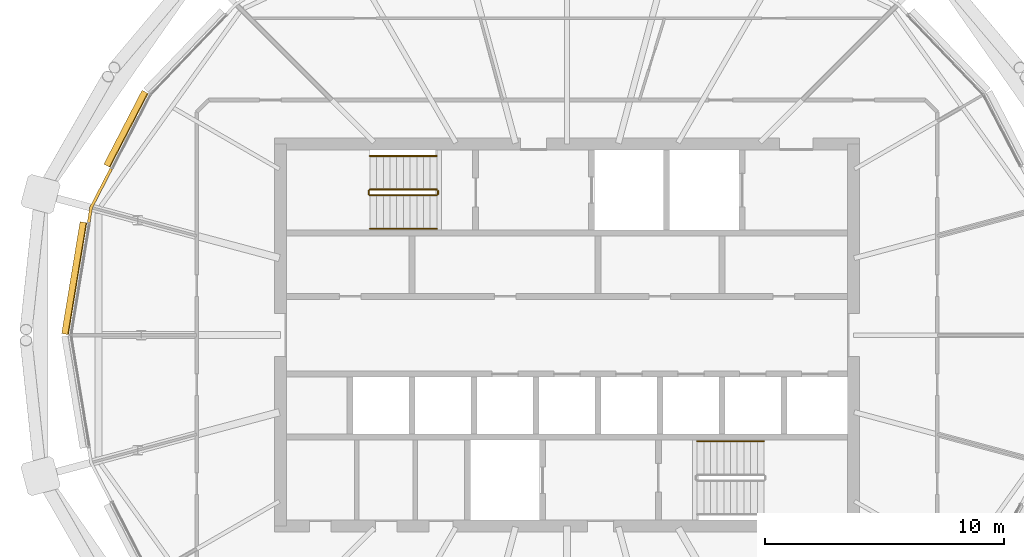
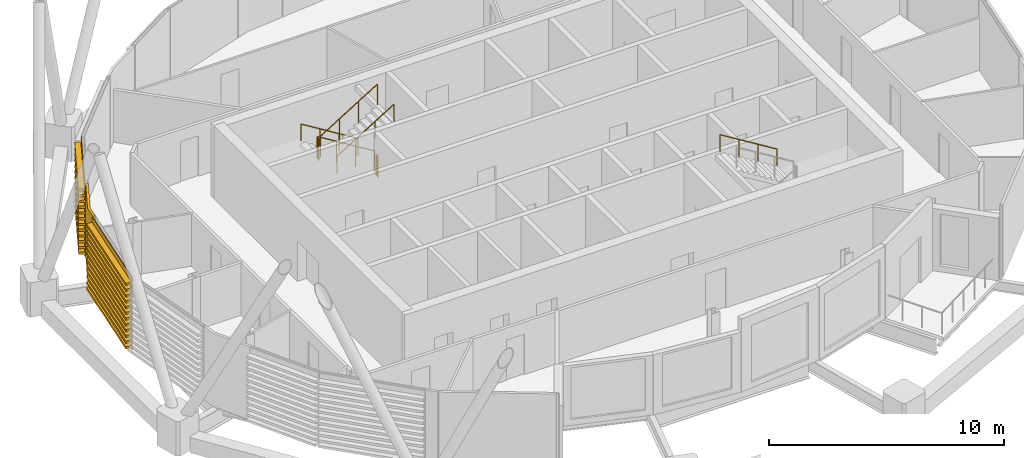
# One storey, part 29 of 34: 7 railings, 3 coverings.
"""IFC4 building model written with IfcOpenShell, lengths in metres."""

from ifc_helpers import new_model, si_unit, direction, frame, origin, origin_2d, place, context, subcontext, project, spatial, polyline, circle, outline, extrude, material, layer, layer_set, material_profile, profile_set, type_object, element, save


model = new_model("IFC4")

# Units and contexts
model_context = context("Model", 3, precision=1e-05, world=origin(), true_north=direction((0.0, 1.0)))
body_context = subcontext(model_context, "Body", "Model", "MODEL_VIEW")
ifc_project = project(units=[si_unit("LENGTHUNIT", "METRE"), si_unit("AREAUNIT", "SQUARE_METRE"), si_unit("VOLUMEUNIT", "CUBIC_METRE"), si_unit("PLANEANGLEUNIT", "RADIAN"), si_unit("MASSUNIT", "GRAM", prefix="KILO")], contexts=[model_context])

# Site, building, storey
site_placement = place(None, origin())
site = spatial("IfcSite", under=ifc_project, at=site_placement, CompositionType="ELEMENT")
building_placement = place(site_placement, origin())
building = spatial("IfcBuilding", under=site, at=building_placement, Name="Rimbun Link Towers", CompositionType="ELEMENT")
storey_placement = place(building_placement, frame((0.0, 0.0, 221.89990234375)))
storey = spatial("IfcBuildingStorey", under=building, at=storey_placement, Name="L54", CompositionType="ELEMENT", Elevation=221.89990234375)

# Covering
ifc_material_1 = material(Name="Terracotta", Category="masonry")
ifc_layer = layer(ifc_material_1, 0.1201171875)
ifc_layer_set = layer_set([ifc_layer], Name="LINK PIER terracotta cladding 120")
covering_type_1 = type_object("IfcCoveringType", Name="LINK PIER terracotta cladding 120", PredefinedType="CLADDING", material=ifc_layer_set)
covering_1_placement = place(storey_placement, origin())
element("IfcCovering", 1, at=covering_1_placement, inside=storey, type_object=covering_type_1, Name="LINK PIER cladding", PredefinedType="CLADDING", context=body_context, shape_type="SweptSolid", body=[
    extrude(outline(polyline([(-51.718017578125, 4.711669921875), (-51.6171875, 5.323486328125), (-50.781005859375, 6.93994140625), (-50.887451171875, 6.994873046875), (-51.732666015625, 5.361572265625), (-51.83642578125, 4.731201171875), (-51.718017578125, 4.711669921875)])), origin(), (0.0, 0.0, 1.0), 3.800048828125),
])

# Railings
ifc_material_2 = material(Name="Stainless steel grade 316", Category="steel")
railing_type_1 = type_object("IfcRailingType", Name="Stair guard", PredefinedType="GUARDRAIL", material=ifc_material_2)
railing_1_placement = place(storey_placement, frame((-37.199951171875, 6.10009765625, 0.1728515625)))
element("IfcRailing", 2, at=railing_1_placement, inside=storey, type_object=railing_type_1, Name="L54 ST1 stair guard 1", PredefinedType="GUARDRAIL", context=body_context, shape_type="SweptSolid", body=[
    extrude(circle(Radius=0.02392578125, at=origin_2d()), frame((0.0, 0.0, 1.076171875), z_axis=(-0.851089632645, 0.0, 0.525020415988), x_axis=(0.0, -1.0, 0.0)), (0.0, 0.0, 1.0), 3.2900390625),
    extrude(circle(Radius=0.02099609375, at=origin_2d()), origin(), (0.0, 0.0, 1.0), 1.052001953125),
    extrude(circle(Radius=0.02099609375, at=origin_2d()), frame((-0.933349609375, 0.0, 0.57568359375)), (0.0, 0.0, 1.0), 1.052001953125),
    extrude(circle(Radius=0.02099609375, at=origin_2d()), frame((-1.86669921875, 0.0, 1.151611328125)), (0.0, 0.0, 1.0), 1.052001953125),
    extrude(circle(Radius=0.02099609375, at=origin_2d()), frame((-2.800048828125, 0.0, 1.727294921875)), (0.0, 0.0, 1.0), 1.052001953125),
])
railing_2_placement = place(storey_placement, frame((-40.050048828125, 6.050048828125, 1.900146484375)))
element("IfcRailing", 3, at=railing_2_placement, inside=storey, type_object=railing_type_1, Name="L54 ST1 stair guard 2", PredefinedType="GUARDRAIL", context=body_context, shape_type="SweptSolid", body=[
    extrude(circle(Radius=0.02392578125, at=origin_2d()), frame((0.0, 0.0, 1.076171875), z_axis=(0.0, -1.0, 0.0), x_axis=(1.0, 0.0, 0.0)), (0.0, 0.0, 1.0), 0.150146484375),
    extrude(circle(Radius=0.02099609375, at=origin_2d()), origin(), (0.0, 0.0, 1.0), 1.052001953125),
    extrude(circle(Radius=0.02099609375, at=origin_2d()), frame((0.0, -0.150146484375, 0.0)), (0.0, 0.0, 1.0), 1.052001953125),
])
railing_3_placement = place(storey_placement, frame((-40.0, 5.85009765625, 2.07275390625)))
element("IfcRailing", 4, at=railing_3_placement, inside=storey, type_object=railing_type_1, Name="L54 ST1 stair guard 3", PredefinedType="GUARDRAIL", context=body_context, shape_type="SweptSolid", body=[
    extrude(circle(Radius=0.02392578125, at=origin_2d()), frame((0.0, 0.0, 1.076171875), z_axis=(0.851089632645, 0.0, 0.525020415988), x_axis=(0.0, 1.0, 0.0)), (0.0, 0.0, 1.0), 3.2900390625),
    extrude(circle(Radius=0.02099609375, at=origin_2d()), origin(), (0.0, 0.0, 1.0), 1.052001953125),
    extrude(circle(Radius=0.02099609375, at=origin_2d()), frame((0.933349609375, 0.0, 0.57568359375)), (0.0, 0.0, 1.0), 1.052001953125),
    extrude(circle(Radius=0.02099609375, at=origin_2d()), frame((1.86669921875, 0.0, 1.151611328125)), (0.0, 0.0, 1.0), 1.052001953125),
    extrude(circle(Radius=0.02099609375, at=origin_2d()), frame((2.800048828125, 0.0, 1.727294921875)), (0.0, 0.0, 1.0), 1.052001953125),
])
railing_4_placement = place(storey_placement, frame((-37.14990234375, 6.050048828125, 0.0)))
element("IfcRailing", 5, at=railing_4_placement, inside=storey, type_object=railing_type_1, Name="L54 ST1 stair guard 4", PredefinedType="GUARDRAIL", context=body_context, shape_type="SweptSolid", body=[
    extrude(circle(Radius=0.02392578125, at=origin_2d()), frame((0.0, 0.0, 1.076171875), z_axis=(0.0, -1.0, 0.0), x_axis=(1.0, 0.0, 0.0)), (0.0, 0.0, 1.0), 0.150146484375),
    extrude(circle(Radius=0.02099609375, at=origin_2d()), origin(), (0.0, 0.0, 1.0), 1.052001953125),
    extrude(circle(Radius=0.02099609375, at=origin_2d()), frame((0.0, -0.150146484375, 0.0)), (0.0, 0.0, 1.0), 1.052001953125),
])
ifc_material_3 = material(Name="Stainless steel grade 316", Category="steel")
railing_type_2 = type_object("IfcRailingType", Name="Stair handrail", PredefinedType="HANDRAIL", material=ifc_material_3)
railing_5_placement = place(storey_placement, frame((-37.199951171875, 7.5, 0.1728515625)))
element("IfcRailing", 6, at=railing_5_placement, inside=storey, type_object=railing_type_2, Name="L54 ST1 stair handrail 1", PredefinedType="HANDRAIL", context=body_context, shape_type="SweptSolid", body=[
    extrude(circle(Radius=0.02392578125, at=origin_2d()), frame((0.0, 0.0, 0.8759765625), z_axis=(-0.851089632645, 0.0, 0.525020415988), x_axis=(0.0, -1.0, 0.0)), (0.0, 0.0, 1.0), 3.2900390625),
    extrude(circle(Radius=0.02099609375, at=origin_2d()), origin(), (0.0, 0.0, 1.0), 0.851806640625),
    extrude(circle(Radius=0.02099609375, at=origin_2d()), frame((-0.933349609375, 0.0, 0.57568359375)), (0.0, 0.0, 1.0), 0.851806640625),
    extrude(circle(Radius=0.02099609375, at=origin_2d()), frame((-1.86669921875, 0.0, 1.151611328125)), (0.0, 0.0, 1.0), 0.851806640625),
    extrude(circle(Radius=0.02099609375, at=origin_2d()), frame((-2.800048828125, 0.0, 1.727294921875)), (0.0, 0.0, 1.0), 0.851806640625),
])
railing_6_placement = place(storey_placement, frame((-40.0, 4.449951171875, 2.07275390625)))
element("IfcRailing", 7, at=railing_6_placement, inside=storey, type_object=railing_type_2, Name="L54 ST1 stair handrail 2", PredefinedType="HANDRAIL", context=body_context, shape_type="SweptSolid", body=[
    extrude(circle(Radius=0.02392578125, at=origin_2d()), frame((0.0, 0.0, 0.8759765625), z_axis=(0.851089632645, 0.0, 0.525020415988), x_axis=(0.0, 1.0, 0.0)), (0.0, 0.0, 1.0), 3.2900390625),
    extrude(circle(Radius=0.02099609375, at=origin_2d()), origin(), (0.0, 0.0, 1.0), 0.851806640625),
    extrude(circle(Radius=0.02099609375, at=origin_2d()), frame((0.933349609375, 0.0, 0.57568359375)), (0.0, 0.0, 1.0), 0.851806640625),
    extrude(circle(Radius=0.02099609375, at=origin_2d()), frame((1.86669921875, 0.0, 1.151611328125)), (0.0, 0.0, 1.0), 0.851806640625),
    extrude(circle(Radius=0.02099609375, at=origin_2d()), frame((2.800048828125, 0.0, 1.727294921875)), (0.0, 0.0, 1.0), 0.851806640625),
])
railing_7_placement = place(storey_placement, frame((-23.5, -4.449951171875, 2.07275390625)))
element("IfcRailing", 8, at=railing_7_placement, inside=storey, type_object=railing_type_2, Name="L54 ST2 stair handrail 2", PredefinedType="HANDRAIL", context=body_context, shape_type="SweptSolid", body=[
    extrude(circle(Radius=0.02392578125, at=origin_2d()), frame((0.0, 0.0, 0.8759765625), z_axis=(-0.851089632645, 0.0, 0.525020415988), x_axis=(0.0, -1.0, 0.0)), (0.0, 0.0, 1.0), 3.2900390625),
    extrude(circle(Radius=0.02099609375, at=origin_2d()), origin(), (0.0, 0.0, 1.0), 0.851806640625),
    extrude(circle(Radius=0.02099609375, at=origin_2d()), frame((-0.933349609375, 0.0, 0.57568359375)), (0.0, 0.0, 1.0), 0.851806640625),
    extrude(circle(Radius=0.02099609375, at=origin_2d()), frame((-1.86669921875, 0.0, 1.151611328125)), (0.0, 0.0, 1.0), 0.851806640625),
    extrude(circle(Radius=0.02099609375, at=origin_2d()), frame((-2.800048828125, 0.0, 1.727294921875)), (0.0, 0.0, 1.0), 0.851806640625),
])

# Coverings
ifc_material_4 = material(Name="Terracotta", Category="masonry")
ifc_material_profile = material_profile(ifc_material_4, outline(polyline([(0.123046875, 0.0), (0.1630859375, 0.0), (0.1630859375, 0.10009765625), (0.423095703125, 0.10009765625), (0.423095703125, 0.219970703125), (0.1630859375, 0.219970703125), (0.1630859375, 0.39990234375), (0.423095703125, 0.39990234375), (0.423095703125, 0.52001953125), (0.1630859375, 0.52001953125), (0.1630859375, 0.699951171875), (0.423095703125, 0.699951171875), (0.423095703125, 0.820068359375), (0.1630859375, 0.820068359375), (0.1630859375, 1.0), (0.423095703125, 1.0), (0.423095703125, 1.1201171875), (0.1630859375, 1.1201171875), (0.1630859375, 1.300048828125), (0.423095703125, 1.300048828125), (0.423095703125, 1.419921875), (0.1630859375, 1.419921875), (0.1630859375, 1.60009765625), (0.423095703125, 1.60009765625), (0.423095703125, 1.719970703125), (0.1630859375, 1.719970703125), (0.1630859375, 1.89990234375), (0.423095703125, 1.89990234375), (0.423095703125, 2.02001953125), (0.1630859375, 2.02001953125), (0.1630859375, 2.199951171875), (0.423095703125, 2.199951171875), (0.423095703125, 2.320068359375), (0.1630859375, 2.320068359375), (0.1630859375, 2.5), (0.423095703125, 2.5), (0.423095703125, 2.6201171875), (0.1630859375, 2.6201171875), (0.1630859375, 2.800048828125), (0.423095703125, 2.800048828125), (0.423095703125, 2.919921875), (0.1630859375, 2.919921875), (0.1630859375, 3.10009765625), (0.423095703125, 3.10009765625), (0.423095703125, 3.219970703125), (0.1630859375, 3.219970703125), (0.1630859375, 3.39990234375), (0.423095703125, 3.39990234375), (0.423095703125, 3.52001953125), (0.1630859375, 3.52001953125), (0.1630859375, 3.800048828125), (0.123046875, 3.800048828125), (0.123046875, 0.0)])), Name="BAGUETTE 120X300")
ifc_profile_set = profile_set([ifc_material_profile], Name="Terracotta")
covering_type_2 = type_object("IfcCoveringType", Name="TERRACOTTA BAGUETTE 120X300 H3800", PredefinedType="CLADDING", material=ifc_profile_set)
covering_2_placement = place(storey_placement, frame((-50.76708984375, 6.966552734375, 0.0), z_axis=(0.459577547562, 0.888137645738, 0.0), x_axis=(-0.888137645738, 0.459577547562, 0.0)))
element("IfcCovering", 9, at=covering_2_placement, inside=storey, type_object=covering_type_2, Name="TERRACOTTA BAGUETTE", PredefinedType="CLADDING", context=body_context, shape_type="SweptSolid", body=[
    extrude(outline(polyline([(0.123046875, 0.0), (0.1630859375, 0.0), (0.1630859375, 0.10009765625), (0.423095703125, 0.10009765625), (0.423095703125, 0.219970703125), (0.1630859375, 0.219970703125), (0.1630859375, 0.39990234375), (0.423095703125, 0.39990234375), (0.423095703125, 0.52001953125), (0.1630859375, 0.52001953125), (0.1630859375, 0.699951171875), (0.423095703125, 0.699951171875), (0.423095703125, 0.820068359375), (0.1630859375, 0.820068359375), (0.1630859375, 1.0), (0.423095703125, 1.0), (0.423095703125, 1.1201171875), (0.1630859375, 1.1201171875), (0.1630859375, 1.300048828125), (0.423095703125, 1.300048828125), (0.423095703125, 1.419921875), (0.1630859375, 1.419921875), (0.1630859375, 1.60009765625), (0.423095703125, 1.60009765625), (0.423095703125, 1.719970703125), (0.1630859375, 1.719970703125), (0.1630859375, 1.89990234375), (0.423095703125, 1.89990234375), (0.423095703125, 2.02001953125), (0.1630859375, 2.02001953125), (0.1630859375, 2.199951171875), (0.423095703125, 2.199951171875), (0.423095703125, 2.320068359375), (0.1630859375, 2.320068359375), (0.1630859375, 2.5), (0.423095703125, 2.5), (0.423095703125, 2.6201171875), (0.1630859375, 2.6201171875), (0.1630859375, 2.800048828125), (0.423095703125, 2.800048828125), (0.423095703125, 2.919921875), (0.1630859375, 2.919921875), (0.1630859375, 3.10009765625), (0.423095703125, 3.10009765625), (0.423095703125, 3.219970703125), (0.1630859375, 3.219970703125), (0.1630859375, 3.39990234375), (0.423095703125, 3.39990234375), (0.423095703125, 3.52001953125), (0.1630859375, 3.52001953125), (0.1630859375, 3.800048828125), (0.123046875, 3.800048828125), (0.123046875, 0.0)])), origin(), (0.0, 0.0, 1.0), 3.47900390625),
])
covering_3_placement = place(storey_placement, frame((-52.49267578125, 0.0, 0.0), z_axis=(0.16227934514, 0.986744857671, 0.0), x_axis=(-0.986744857671, 0.16227934514, 0.0)))
element("IfcCovering", 10, at=covering_3_placement, inside=storey, type_object=covering_type_2, Name="TERRACOTTA BAGUETTE", PredefinedType="CLADDING", context=body_context, shape_type="SweptSolid", body=[
    extrude(outline(polyline([(0.123046875, 0.0), (0.1630859375, 0.0), (0.1630859375, 0.10009765625), (0.423095703125, 0.10009765625), (0.423095703125, 0.219970703125), (0.1630859375, 0.219970703125), (0.1630859375, 0.39990234375), (0.423095703125, 0.39990234375), (0.423095703125, 0.52001953125), (0.1630859375, 0.52001953125), (0.1630859375, 0.699951171875), (0.423095703125, 0.699951171875), (0.423095703125, 0.820068359375), (0.1630859375, 0.820068359375), (0.1630859375, 1.0), (0.423095703125, 1.0), (0.423095703125, 1.1201171875), (0.1630859375, 1.1201171875), (0.1630859375, 1.300048828125), (0.423095703125, 1.300048828125), (0.423095703125, 1.419921875), (0.1630859375, 1.419921875), (0.1630859375, 1.60009765625), (0.423095703125, 1.60009765625), (0.423095703125, 1.719970703125), (0.1630859375, 1.719970703125), (0.1630859375, 1.89990234375), (0.423095703125, 1.89990234375), (0.423095703125, 2.02001953125), (0.1630859375, 2.02001953125), (0.1630859375, 2.199951171875), (0.423095703125, 2.199951171875), (0.423095703125, 2.320068359375), (0.1630859375, 2.320068359375), (0.1630859375, 2.5), (0.423095703125, 2.5), (0.423095703125, 2.6201171875), (0.1630859375, 2.6201171875), (0.1630859375, 2.800048828125), (0.423095703125, 2.800048828125), (0.423095703125, 2.919921875), (0.1630859375, 2.919921875), (0.1630859375, 3.10009765625), (0.423095703125, 3.10009765625), (0.423095703125, 3.219970703125), (0.1630859375, 3.219970703125), (0.1630859375, 3.39990234375), (0.423095703125, 3.39990234375), (0.423095703125, 3.52001953125), (0.1630859375, 3.52001953125), (0.1630859375, 3.800048828125), (0.123046875, 3.800048828125), (0.123046875, 0.0)])), origin(), (0.0, 0.0, 1.0), 4.7451171875),
])

save(model, "model.ifc")
